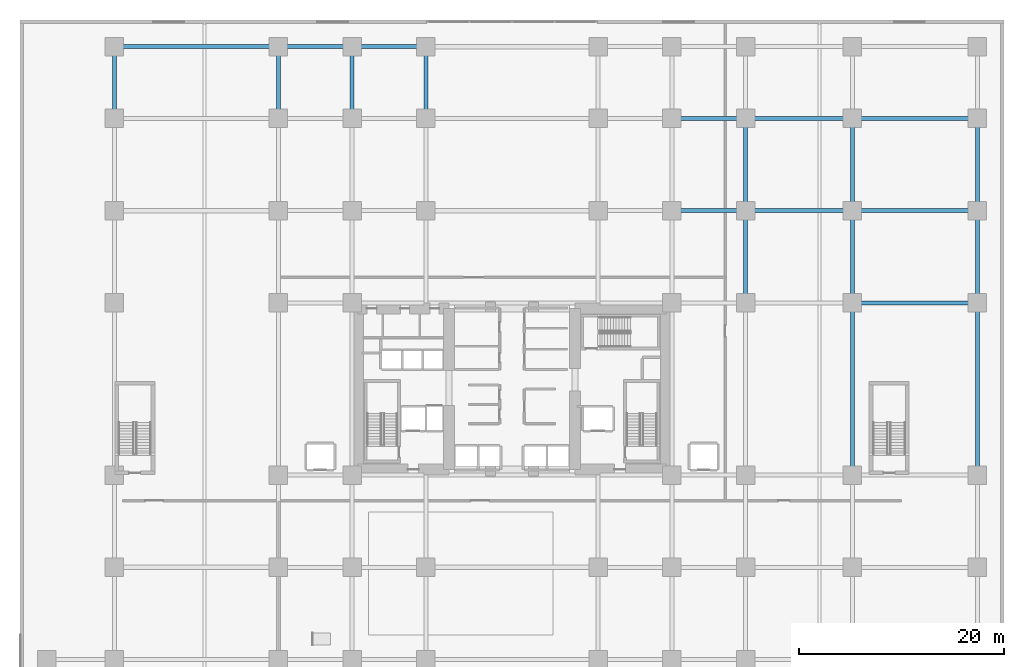
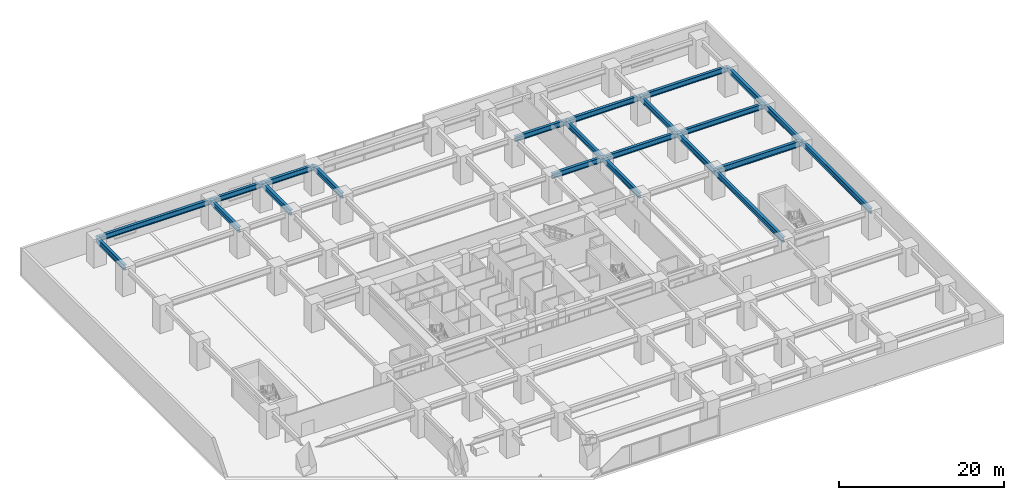
# One storey, part 6 of 22: 22 beams.
"""IFC4 building model written with IfcOpenShell, lengths in metres."""

from ifc_helpers import new_model, si_unit, direction, frame, origin, origin_2d, place, context, subcontext, project, spatial, i_section, extrude, material, material_profile, profile_set, type_object, element, save


model = new_model("IFC4")

# Units and contexts
model_context = context("Model", 3, precision=1e-05, world=origin(), true_north=direction((0.0, 1.0)))
body_context = subcontext(model_context, "Body", "Model", "MODEL_VIEW")
ifc_project = project(units=[si_unit("LENGTHUNIT", "METRE"), si_unit("AREAUNIT", "SQUARE_METRE"), si_unit("VOLUMEUNIT", "CUBIC_METRE"), si_unit("PLANEANGLEUNIT", "RADIAN"), si_unit("MASSUNIT", "GRAM", prefix="KILO")], contexts=[model_context])

# Site, building, storey
site_placement = place(None, origin())
site = spatial("IfcSite", under=ifc_project, at=site_placement, CompositionType="ELEMENT")
building_placement = place(site_placement, origin())
building = spatial("IfcBuilding", under=site, at=building_placement, Name="Kiyonajd Concourse Tower", CompositionType="ELEMENT")
storey_placement = place(building_placement, frame((0.0, 0.0, 4.5)))
storey = spatial("IfcBuildingStorey", under=building, at=storey_placement, Name="L02", CompositionType="ELEMENT", Elevation=4.5)

# Beams
ifc_material = material(Name="Steel ASTM A992 Grade 50", Category="steel")
ifc_material_profile_1 = material_profile(ifc_material, i_section(OverallWidth=0.381103515625, OverallDepth=0.77294921875, WebThickness=0.0166015625, FlangeThickness=0.027099609375, at=origin_2d()), Name="W760X257")
ifc_profile_set_1 = profile_set([ifc_material_profile_1], Name="Steel ASTM A992 Grade 50")
beam_type_1 = type_object("IfcBeamType", Name="BM-POD-760", PredefinedType="BEAM", material=ifc_profile_set_1)
beam_1_placement = place(storey_placement, frame((63.60009765625, 53.39990234375, 3.493408203125), z_axis=(1.0, 0.0, 0.0), x_axis=(0.0, 1.0, 0.0)))
element("IfcBeam", 1, at=beam_1_placement, inside=storey, type_object=beam_type_1, Name="L02 Podium Primary Beam", PredefinedType="BEAM", context=body_context, shape_type="SweptSolid", body=[
    extrude(i_section(OverallWidth=0.381103515625, OverallDepth=0.77294921875, WebThickness=0.0166015625, FlangeThickness=0.027099609375, at=origin_2d()), origin(), (0.0, 0.0, 1.0), 7.199951171875),
])
beam_2_placement = place(storey_placement, frame((70.800048828125, 53.39990234375, 3.493408203125), z_axis=(1.0, 0.0, 0.0), x_axis=(0.0, 1.0, 0.0)))
element("IfcBeam", 2, at=beam_2_placement, inside=storey, type_object=beam_type_1, Name="L02 Podium Primary Beam", PredefinedType="BEAM", context=body_context, shape_type="SweptSolid", body=[
    extrude(i_section(OverallWidth=0.381103515625, OverallDepth=0.77294921875, WebThickness=0.0166015625, FlangeThickness=0.027099609375, at=origin_2d()), origin(), (0.0, 0.0, 1.0), 10.39990234375),
])
beam_3_placement = place(storey_placement, frame((81.199951171875, 53.39990234375, 3.493408203125), z_axis=(1.0, 0.0, 0.0), x_axis=(0.0, 1.0, 0.0)))
element("IfcBeam", 3, at=beam_3_placement, inside=storey, type_object=beam_type_1, Name="L02 Podium Primary Beam", PredefinedType="BEAM", context=body_context, shape_type="SweptSolid", body=[
    extrude(i_section(OverallWidth=0.381103515625, OverallDepth=0.77294921875, WebThickness=0.0166015625, FlangeThickness=0.027099609375, at=origin_2d()), origin(), (0.0, 0.0, 1.0), 12.199951171875),
])
beam_4_placement = place(storey_placement, frame((63.60009765625, 62.39990234375, 3.493408203125), z_axis=(1.0, 0.0, 0.0), x_axis=(0.0, 1.0, 0.0)))
element("IfcBeam", 4, at=beam_4_placement, inside=storey, type_object=beam_type_1, Name="L02 Podium Primary Beam", PredefinedType="BEAM", context=body_context, shape_type="SweptSolid", body=[
    extrude(i_section(OverallWidth=0.381103515625, OverallDepth=0.77294921875, WebThickness=0.0166015625, FlangeThickness=0.027099609375, at=origin_2d()), origin(), (0.0, 0.0, 1.0), 7.199951171875),
])
beam_5_placement = place(storey_placement, frame((70.800048828125, 62.39990234375, 3.493408203125), z_axis=(1.0, 0.0, 0.0), x_axis=(0.0, 1.0, 0.0)))
element("IfcBeam", 5, at=beam_5_placement, inside=storey, type_object=beam_type_1, Name="L02 Podium Primary Beam", PredefinedType="BEAM", context=body_context, shape_type="SweptSolid", body=[
    extrude(i_section(OverallWidth=0.381103515625, OverallDepth=0.77294921875, WebThickness=0.0166015625, FlangeThickness=0.027099609375, at=origin_2d()), origin(), (0.0, 0.0, 1.0), 10.39990234375),
])
beam_6_placement = place(storey_placement, frame((81.199951171875, 62.39990234375, 3.493408203125), z_axis=(1.0, 0.0, 0.0), x_axis=(0.0, 1.0, 0.0)))
element("IfcBeam", 6, at=beam_6_placement, inside=storey, type_object=beam_type_1, Name="L02 Podium Primary Beam", PredefinedType="BEAM", context=body_context, shape_type="SweptSolid", body=[
    extrude(i_section(OverallWidth=0.381103515625, OverallDepth=0.77294921875, WebThickness=0.0166015625, FlangeThickness=0.027099609375, at=origin_2d()), origin(), (0.0, 0.0, 1.0), 12.199951171875),
])
beam_7_placement = place(storey_placement, frame((9.199951171875, 69.39990234375, 3.493408203125), z_axis=(1.0, 0.0, 0.0), x_axis=(0.0, 1.0, 0.0)))
element("IfcBeam", 7, at=beam_7_placement, inside=storey, type_object=beam_type_1, Name="L02 Podium Primary Beam", PredefinedType="BEAM", context=body_context, shape_type="SweptSolid", body=[
    extrude(i_section(OverallWidth=0.381103515625, OverallDepth=0.77294921875, WebThickness=0.0166015625, FlangeThickness=0.027099609375, at=origin_2d()), origin(), (0.0, 0.0, 1.0), 16.0),
])
beam_8_placement = place(storey_placement, frame((25.199951171875, 69.39990234375, 3.493408203125), z_axis=(1.0, 0.0, 0.0), x_axis=(0.0, 1.0, 0.0)))
element("IfcBeam", 8, at=beam_8_placement, inside=storey, type_object=beam_type_1, Name="L02 Podium Primary Beam", PredefinedType="BEAM", context=body_context, shape_type="SweptSolid", body=[
    extrude(i_section(OverallWidth=0.381103515625, OverallDepth=0.77294921875, WebThickness=0.0166015625, FlangeThickness=0.027099609375, at=origin_2d()), origin(), (0.0, 0.0, 1.0), 7.199951171875),
])
beam_9_placement = place(storey_placement, frame((32.39990234375, 69.39990234375, 3.493408203125), z_axis=(1.0, 0.0, 0.0), x_axis=(0.0, 1.0, 0.0)))
element("IfcBeam", 9, at=beam_9_placement, inside=storey, type_object=beam_type_1, Name="L02 Podium Primary Beam", PredefinedType="BEAM", context=body_context, shape_type="SweptSolid", body=[
    extrude(i_section(OverallWidth=0.381103515625, OverallDepth=0.77294921875, WebThickness=0.0166015625, FlangeThickness=0.027099609375, at=origin_2d()), origin(), (0.0, 0.0, 1.0), 7.2001953125),
])
for number, where, z_axis, x_axis, name in (
    (10, (9.199951171875, 62.39990234375, 3.493408203125), (0.0, 1.0, 0.0), (-1.0, 0.0, 0.0), "L02 Podium North South Beam"),
    (11, (25.199951171875, 62.39990234375, 3.493408203125), (0.0, 1.0, 0.0), (-1.0, 0.0, 0.0), "L02 Podium North South Beam"),
    (12, (32.39990234375, 62.39990234375, 3.493408203125), (0.0, 1.0, 0.0), (-1.0, 0.0, 0.0), "L02 Podium North South Beam"),
    (13, (39.60009765625, 62.39990234375, 3.493408203125), (0.0, 1.0, 0.0), (-1.0, 0.0, 0.0), "L02 Podium North South Beam"),
):
    element("IfcBeam", number, at=place(storey_placement, frame(where, z_axis=z_axis, x_axis=x_axis)), inside=storey, type_object=beam_type_1, Name=name, PredefinedType="BEAM", context=body_context, shape_type="SweptSolid", body=[
        extrude(i_section(OverallWidth=0.381103515625, OverallDepth=0.77294921875, WebThickness=0.0166015625, FlangeThickness=0.027099609375, at=origin_2d()), origin(), (0.0, 0.0, 1.0), 7.0),
    ])
for number, where, z_axis, x_axis, name in (
    (14, (70.800048828125, 44.39990234375, 3.493408203125), (0.0, 1.0, 0.0), (-1.0, 0.0, 0.0), "L02 Podium North South Beam"),
    (15, (70.800048828125, 53.39990234375, 3.493408203125), (0.0, 1.0, 0.0), (-1.0, 0.0, 0.0), "L02 Podium North South Beam"),
):
    element("IfcBeam", number, at=place(storey_placement, frame(where, z_axis=z_axis, x_axis=x_axis)), inside=storey, type_object=beam_type_1, Name=name, PredefinedType="BEAM", context=body_context, shape_type="SweptSolid", body=[
        extrude(i_section(OverallWidth=0.381103515625, OverallDepth=0.77294921875, WebThickness=0.0166015625, FlangeThickness=0.027099609375, at=origin_2d()), origin(), (0.0, 0.0, 1.0), 9.0),
    ])
beam_10_placement = place(storey_placement, frame((81.199951171875, 27.60009765625, 3.493408203125), z_axis=(0.0, 1.0, 0.0), x_axis=(-1.0, 0.0, 0.0)))
element("IfcBeam", 16, at=beam_10_placement, inside=storey, type_object=beam_type_1, Name="L02 Podium North South Beam", PredefinedType="BEAM", context=body_context, shape_type="SweptSolid", body=[
    extrude(i_section(OverallWidth=0.381103515625, OverallDepth=0.77294921875, WebThickness=0.0166015625, FlangeThickness=0.027099609375, at=origin_2d()), origin(), (0.0, 0.0, 1.0), 16.7998046875),
])
for number, where, z_axis, x_axis, name in (
    (17, (81.199951171875, 44.39990234375, 3.493408203125), (0.0, 1.0, 0.0), (-1.0, 0.0, 0.0), "L02 Podium North South Beam"),
    (18, (81.199951171875, 53.39990234375, 3.493408203125), (0.0, 1.0, 0.0), (-1.0, 0.0, 0.0), "L02 Podium North South Beam"),
):
    element("IfcBeam", number, at=place(storey_placement, frame(where, z_axis=z_axis, x_axis=x_axis)), inside=storey, type_object=beam_type_1, Name=name, PredefinedType="BEAM", context=body_context, shape_type="SweptSolid", body=[
        extrude(i_section(OverallWidth=0.381103515625, OverallDepth=0.77294921875, WebThickness=0.0166015625, FlangeThickness=0.027099609375, at=origin_2d()), origin(), (0.0, 0.0, 1.0), 9.0),
    ])
beam_11_placement = place(storey_placement, frame((93.39990234375, 27.60009765625, 3.493408203125), z_axis=(0.0, 1.0, 0.0), x_axis=(-1.0, 0.0, 0.0)))
element("IfcBeam", 19, at=beam_11_placement, inside=storey, type_object=beam_type_1, Name="L02 Podium North South Beam", PredefinedType="BEAM", context=body_context, shape_type="SweptSolid", body=[
    extrude(i_section(OverallWidth=0.381103515625, OverallDepth=0.77294921875, WebThickness=0.0166015625, FlangeThickness=0.027099609375, at=origin_2d()), origin(), (0.0, 0.0, 1.0), 16.7998046875),
])
for number, where, z_axis, x_axis, name in (
    (20, (93.39990234375, 44.39990234375, 3.493408203125), (0.0, 1.0, 0.0), (-1.0, 0.0, 0.0), "L02 Podium North South Beam"),
    (21, (93.39990234375, 53.39990234375, 3.493408203125), (0.0, 1.0, 0.0), (-1.0, 0.0, 0.0), "L02 Podium North South Beam"),
):
    element("IfcBeam", number, at=place(storey_placement, frame(where, z_axis=z_axis, x_axis=x_axis)), inside=storey, type_object=beam_type_1, Name=name, PredefinedType="BEAM", context=body_context, shape_type="SweptSolid", body=[
        extrude(i_section(OverallWidth=0.381103515625, OverallDepth=0.77294921875, WebThickness=0.0166015625, FlangeThickness=0.027099609375, at=origin_2d()), origin(), (0.0, 0.0, 1.0), 9.0),
    ])
ifc_material_profile_2 = material_profile(ifc_material, i_section(OverallWidth=0.39990234375, OverallDepth=0.85498046875, WebThickness=0.018310546875, FlangeThickness=0.029296875, at=origin_2d()), Name="W840X299")
ifc_profile_set_2 = profile_set([ifc_material_profile_2], Name="Steel ASTM A992 Grade 50")
beam_type_2 = type_object("IfcBeamType", Name="BM-POD-840", PredefinedType="BEAM", material=ifc_profile_set_2)
beam_12_placement = place(storey_placement, frame((81.199951171875, 44.39990234375, 3.452392578125), z_axis=(1.0, 0.0, 0.0), x_axis=(0.0, 1.0, 0.0)))
element("IfcBeam", 22, at=beam_12_placement, inside=storey, type_object=beam_type_2, Name="L02 Podium Primary Beam", PredefinedType="BEAM", context=body_context, shape_type="SweptSolid", body=[
    extrude(i_section(OverallWidth=0.39990234375, OverallDepth=0.85498046875, WebThickness=0.018310546875, FlangeThickness=0.029296875, at=origin_2d()), origin(), (0.0, 0.0, 1.0), 12.199951171875),
])

save(model, "model.ifc")
